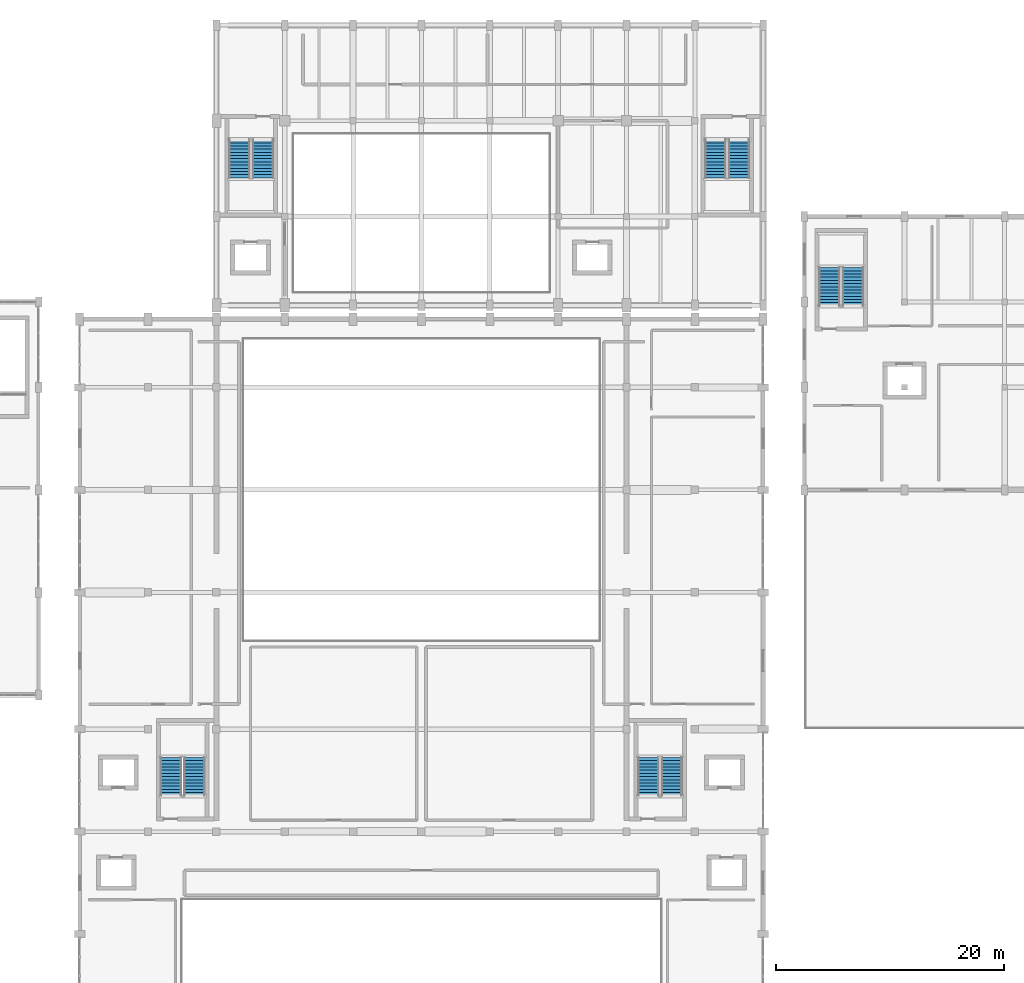
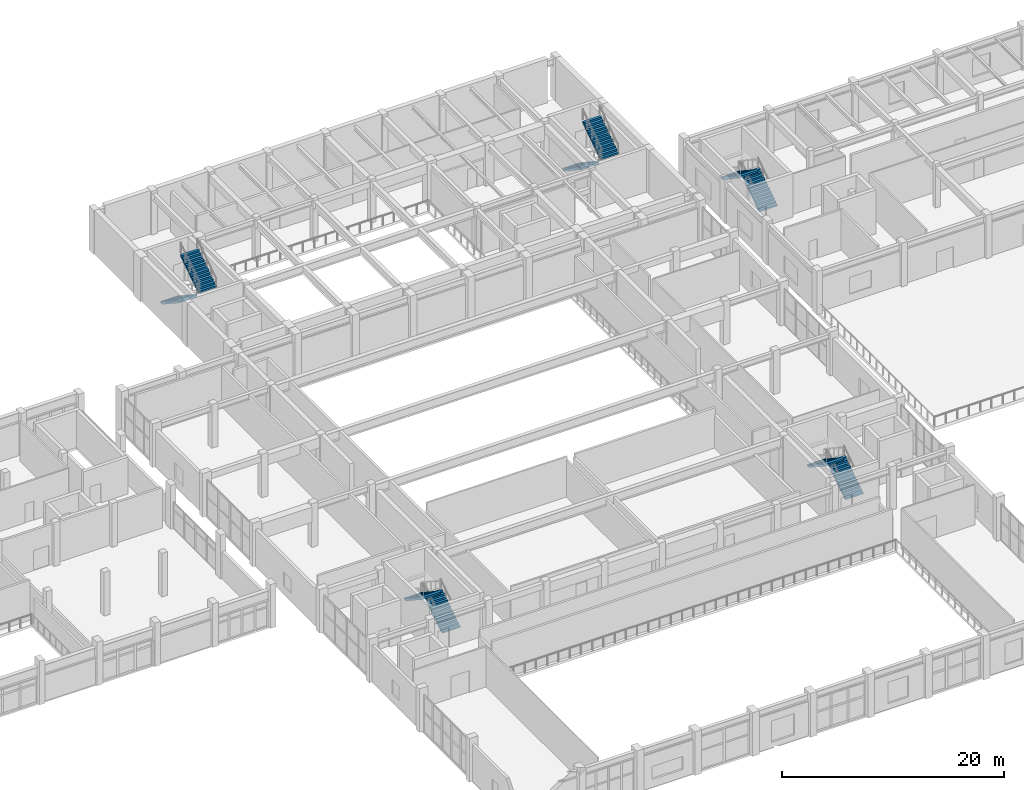
# One storey, part 47 of 62: 10 stair flights, 5 elements without a shape of their own.
"""IFC4 building model written with IfcOpenShell, lengths in metres."""

from ifc_helpers import new_model, si_unit, direction, frame, origin, place, context, subcontext, project, spatial, polyline, outline, extrude, material, type_object, element, aggregate, save


model = new_model("IFC4")

# Units and contexts
model_context = context("Model", 3, precision=1e-05, world=origin(), true_north=direction((0.0, 1.0)))
body_context = subcontext(model_context, "Body", "Model", "MODEL_VIEW")
ifc_project = project(units=[si_unit("LENGTHUNIT", "METRE"), si_unit("AREAUNIT", "SQUARE_METRE"), si_unit("VOLUMEUNIT", "CUBIC_METRE"), si_unit("PLANEANGLEUNIT", "RADIAN"), si_unit("MASSUNIT", "GRAM", prefix="KILO")], contexts=[model_context])

# Site, building, storey
site_placement = place(None, origin())
site = spatial("IfcSite", under=ifc_project, at=site_placement, CompositionType="ELEMENT")
building_placement = place(site_placement, origin())
building = spatial("IfcBuilding", under=site, at=building_placement, Name="Vaelkrest Opera House", CompositionType="ELEMENT")
storey_placement = place(building_placement, frame((0.0, 0.0, 19.800048828125)))
storey = spatial("IfcBuildingStorey", under=building, at=storey_placement, Name="L04", CompositionType="ELEMENT", Elevation=19.800048828125)

# Stair, stair flights
ifc_material = material(Name="Concrete C40/50", Category="concrete")
stair_type_1 = type_object("IfcStairType", Name="ST01", PredefinedType="TWO_STRAIGHT_RUN_STAIR", material=ifc_material)
stair_1_placement = place(storey_placement, origin())
stair_1 = element("IfcStair", 1, at=stair_1_placement, inside=storey, type_object=stair_type_1, Name="L04 Protected exit stair ST01", PredefinedType="TWO_STRAIGHT_RUN_STAIR")
stair_flight_type = type_object("IfcStairFlightType", Name="SFL176", PredefinedType="STRAIGHT", material=ifc_material)
stair_flight_1_placement = place(storey_placement, frame((-19.925048828125, -25.64990234375, 0.0), z_axis=(0.0, 0.0, 1.0), x_axis=(0.0, 1.0, 0.0)))
stair_flight_1 = element("IfcStairFlight", 2, at=stair_flight_1_placement, type_object=stair_flight_type, Name="ST01 flight 1", NumberOfRisers=13, NumberOfTreads=12, PredefinedType="STRAIGHT", RiserHeight=0.184615385, TreadLength=0.28, context=body_context, shape_type="SweptSolid", body=[
    extrude(outline(polyline([(0.0, 0.0), (0.0, 0.1845703125), (0.280029296875, 0.1845703125), (0.280029296875, 0.369140625), (0.56005859375, 0.369140625), (0.56005859375, 0.553955078125), (0.840087890625, 0.553955078125), (0.840087890625, 0.738525390625), (1.1201171875, 0.738525390625), (1.1201171875, 0.923095703125), (1.39990234375, 0.923095703125), (1.39990234375, 1.107666015625), (1.679931640625, 1.107666015625), (1.679931640625, 1.292236328125), (1.9599609375, 1.292236328125), (1.9599609375, 1.476806640625), (2.239990234375, 1.476806640625), (2.239990234375, 1.66162109375), (2.52001953125, 1.66162109375), (2.52001953125, 1.84619140625), (2.800048828125, 1.84619140625), (2.800048828125, 2.03076171875), (3.080078125, 2.03076171875), (3.080078125, 2.21533203125), (3.360107421875, 2.21533203125), (3.360107421875, 2.39990234375), (3.360107421875, 2.02392578125), (0.29052734375, 0.0), (0.0, 0.0)])), frame((0.0, 0.925048828125, 0.0), z_axis=(0.0, -1.0, 0.0), x_axis=(1.0, 0.0, 0.0)), (0.0, 0.0, 1.0), 1.85009765625),
])
stair_flight_2_placement = place(storey_placement, frame((-21.97509765625, -22.2900390625, 2.39990234375), z_axis=(0.0, 0.0, 1.0), x_axis=(0.0, -1.0, 0.0)))
stair_flight_2 = element("IfcStairFlight", 3, at=stair_flight_2_placement, type_object=stair_flight_type, Name="ST01 flight 2", NumberOfRisers=13, NumberOfTreads=12, PredefinedType="STRAIGHT", RiserHeight=0.184615385, TreadLength=0.28, context=body_context, shape_type="SweptSolid", body=[
    extrude(outline(polyline([(0.0, 0.0), (0.0, 0.1845703125), (0.280029296875, 0.1845703125), (0.280029296875, 0.369140625), (0.56005859375, 0.369140625), (0.56005859375, 0.553955078125), (0.840087890625, 0.553955078125), (0.840087890625, 0.738525390625), (1.1201171875, 0.738525390625), (1.1201171875, 0.923095703125), (1.39990234375, 0.923095703125), (1.39990234375, 1.107666015625), (1.679931640625, 1.107666015625), (1.679931640625, 1.292236328125), (1.9599609375, 1.292236328125), (1.9599609375, 1.476806640625), (2.239990234375, 1.476806640625), (2.239990234375, 1.66162109375), (2.52001953125, 1.66162109375), (2.52001953125, 1.84619140625), (2.800048828125, 1.84619140625), (2.800048828125, 2.03076171875), (3.080078125, 2.03076171875), (3.080078125, 2.21533203125), (3.360107421875, 2.21533203125), (3.360107421875, 2.39990234375), (3.360107421875, 2.02392578125), (0.29052734375, 0.0), (0.0, 0.0)])), frame((0.0, 0.925048828125, 0.0), z_axis=(0.0, -1.0, 0.0), x_axis=(1.0, 0.0, 0.0)), (0.0, 0.0, 1.0), 1.85009765625),
])
aggregate(stair_1, [stair_flight_1, stair_flight_2])

stair_type_2 = type_object("IfcStairType", Name="ST02", PredefinedType="TWO_STRAIGHT_RUN_STAIR", material=ifc_material)
stair_2_placement = place(storey_placement, origin())
stair_2 = element("IfcStair", 4, at=stair_2_placement, inside=storey, type_object=stair_type_2, Name="L04 Protected exit stair ST02", PredefinedType="TWO_STRAIGHT_RUN_STAIR")
stair_flight_3_placement = place(storey_placement, frame((21.97509765625, -25.64990234375, 0.0), z_axis=(0.0, 0.0, 1.0), x_axis=(0.0, 1.0, 0.0)))
stair_flight_3 = element("IfcStairFlight", 5, at=stair_flight_3_placement, type_object=stair_flight_type, Name="ST02 flight 1", NumberOfRisers=13, NumberOfTreads=12, PredefinedType="STRAIGHT", RiserHeight=0.184615385, TreadLength=0.28, context=body_context, shape_type="SweptSolid", body=[
    extrude(outline(polyline([(0.0, 0.0), (0.0, 0.1845703125), (0.280029296875, 0.1845703125), (0.280029296875, 0.369140625), (0.56005859375, 0.369140625), (0.56005859375, 0.553955078125), (0.840087890625, 0.553955078125), (0.840087890625, 0.738525390625), (1.1201171875, 0.738525390625), (1.1201171875, 0.923095703125), (1.39990234375, 0.923095703125), (1.39990234375, 1.107666015625), (1.679931640625, 1.107666015625), (1.679931640625, 1.292236328125), (1.9599609375, 1.292236328125), (1.9599609375, 1.476806640625), (2.239990234375, 1.476806640625), (2.239990234375, 1.66162109375), (2.52001953125, 1.66162109375), (2.52001953125, 1.84619140625), (2.800048828125, 1.84619140625), (2.800048828125, 2.03076171875), (3.080078125, 2.03076171875), (3.080078125, 2.21533203125), (3.360107421875, 2.21533203125), (3.360107421875, 2.39990234375), (3.360107421875, 2.02392578125), (0.29052734375, 0.0), (0.0, 0.0)])), frame((0.0, 0.925048828125, 0.0), z_axis=(0.0, -1.0, 0.0), x_axis=(1.0, 0.0, 0.0)), (0.0, 0.0, 1.0), 1.85009765625),
])
stair_flight_4_placement = place(storey_placement, frame((19.925048828125, -22.2900390625, 2.39990234375), z_axis=(0.0, 0.0, 1.0), x_axis=(0.0, -1.0, 0.0)))
stair_flight_4 = element("IfcStairFlight", 6, at=stair_flight_4_placement, type_object=stair_flight_type, Name="ST02 flight 2", NumberOfRisers=13, NumberOfTreads=12, PredefinedType="STRAIGHT", RiserHeight=0.184615385, TreadLength=0.28, context=body_context, shape_type="SweptSolid", body=[
    extrude(outline(polyline([(0.0, 0.0), (0.0, 0.1845703125), (0.280029296875, 0.1845703125), (0.280029296875, 0.369140625), (0.56005859375, 0.369140625), (0.56005859375, 0.553955078125), (0.840087890625, 0.553955078125), (0.840087890625, 0.738525390625), (1.1201171875, 0.738525390625), (1.1201171875, 0.923095703125), (1.39990234375, 0.923095703125), (1.39990234375, 1.107666015625), (1.679931640625, 1.107666015625), (1.679931640625, 1.292236328125), (1.9599609375, 1.292236328125), (1.9599609375, 1.476806640625), (2.239990234375, 1.476806640625), (2.239990234375, 1.66162109375), (2.52001953125, 1.66162109375), (2.52001953125, 1.84619140625), (2.800048828125, 1.84619140625), (2.800048828125, 2.03076171875), (3.080078125, 2.03076171875), (3.080078125, 2.21533203125), (3.360107421875, 2.21533203125), (3.360107421875, 2.39990234375), (3.360107421875, 2.02392578125), (0.29052734375, 0.0), (0.0, 0.0)])), frame((0.0, 0.925048828125, 0.0), z_axis=(0.0, -1.0, 0.0), x_axis=(1.0, 0.0, 0.0)), (0.0, 0.0, 1.0), 1.85009765625),
])
aggregate(stair_2, [stair_flight_3, stair_flight_4])

stair_type_3 = type_object("IfcStairType", Name="ST05", PredefinedType="TWO_STRAIGHT_RUN_STAIR", material=ifc_material)
stair_3_placement = place(storey_placement, origin())
stair_3 = element("IfcStair", 7, at=stair_3_placement, inside=storey, type_object=stair_type_3, Name="L04 Protected exit stair ST05", PredefinedType="TWO_STRAIGHT_RUN_STAIR")
stair_flight_5_placement = place(storey_placement, frame((-15.97509765625, 31.949951171875, 0.0), z_axis=(0.0, 0.0, 1.0), x_axis=(0.0, -1.0, 0.0)))
stair_flight_5 = element("IfcStairFlight", 8, at=stair_flight_5_placement, type_object=stair_flight_type, Name="ST05 flight 1", NumberOfRisers=13, NumberOfTreads=12, PredefinedType="STRAIGHT", RiserHeight=0.184615385, TreadLength=0.28, context=body_context, shape_type="SweptSolid", body=[
    extrude(outline(polyline([(0.0, 0.0), (0.0, 0.1845703125), (0.280029296875, 0.1845703125), (0.280029296875, 0.369140625), (0.56005859375, 0.369140625), (0.56005859375, 0.553955078125), (0.840087890625, 0.553955078125), (0.840087890625, 0.738525390625), (1.1201171875, 0.738525390625), (1.1201171875, 0.923095703125), (1.39990234375, 0.923095703125), (1.39990234375, 1.107666015625), (1.679931640625, 1.107666015625), (1.679931640625, 1.292236328125), (1.9599609375, 1.292236328125), (1.9599609375, 1.476806640625), (2.239990234375, 1.476806640625), (2.239990234375, 1.66162109375), (2.52001953125, 1.66162109375), (2.52001953125, 1.84619140625), (2.800048828125, 1.84619140625), (2.800048828125, 2.03076171875), (3.080078125, 2.03076171875), (3.080078125, 2.21533203125), (3.360107421875, 2.21533203125), (3.360107421875, 2.39990234375), (3.360107421875, 2.02392578125), (0.29052734375, 0.0), (0.0, 0.0)])), frame((0.0, 0.925048828125, 0.0), z_axis=(0.0, -1.0, 0.0), x_axis=(1.0, 0.0, 0.0)), (0.0, 0.0, 1.0), 1.85009765625),
])
stair_flight_6_placement = place(storey_placement, frame((-13.925048828125, 28.590087890625, 2.39990234375), z_axis=(0.0, 0.0, 1.0), x_axis=(0.0, 1.0, 0.0)))
stair_flight_6 = element("IfcStairFlight", 9, at=stair_flight_6_placement, type_object=stair_flight_type, Name="ST05 flight 2", NumberOfRisers=13, NumberOfTreads=12, PredefinedType="STRAIGHT", RiserHeight=0.184615385, TreadLength=0.28, context=body_context, shape_type="SweptSolid", body=[
    extrude(outline(polyline([(0.0, 0.0), (0.0, 0.1845703125), (0.280029296875, 0.1845703125), (0.280029296875, 0.369140625), (0.56005859375, 0.369140625), (0.56005859375, 0.553955078125), (0.840087890625, 0.553955078125), (0.840087890625, 0.738525390625), (1.1201171875, 0.738525390625), (1.1201171875, 0.923095703125), (1.39990234375, 0.923095703125), (1.39990234375, 1.107666015625), (1.679931640625, 1.107666015625), (1.679931640625, 1.292236328125), (1.9599609375, 1.292236328125), (1.9599609375, 1.476806640625), (2.239990234375, 1.476806640625), (2.239990234375, 1.66162109375), (2.52001953125, 1.66162109375), (2.52001953125, 1.84619140625), (2.800048828125, 1.84619140625), (2.800048828125, 2.03076171875), (3.080078125, 2.03076171875), (3.080078125, 2.21533203125), (3.360107421875, 2.21533203125), (3.360107421875, 2.39990234375), (3.360107421875, 2.02392578125), (0.29052734375, 0.0), (0.0, 0.0)])), frame((0.0, 0.925048828125, 0.0), z_axis=(0.0, -1.0, 0.0), x_axis=(1.0, 0.0, 0.0)), (0.0, 0.0, 1.0), 1.85009765625),
])
aggregate(stair_3, [stair_flight_5, stair_flight_6])

stair_type_4 = type_object("IfcStairType", Name="ST06", PredefinedType="TWO_STRAIGHT_RUN_STAIR", material=ifc_material)
stair_4_placement = place(storey_placement, origin())
stair_4 = element("IfcStair", 10, at=stair_4_placement, inside=storey, type_object=stair_type_4, Name="L04 Protected exit stair ST06", PredefinedType="TWO_STRAIGHT_RUN_STAIR")
stair_flight_7_placement = place(storey_placement, frame((25.824951171875, 31.949951171875, 0.0), z_axis=(0.0, 0.0, 1.0), x_axis=(0.0, -1.0, 0.0)))
stair_flight_7 = element("IfcStairFlight", 11, at=stair_flight_7_placement, type_object=stair_flight_type, Name="ST06 flight 1", NumberOfRisers=13, NumberOfTreads=12, PredefinedType="STRAIGHT", RiserHeight=0.184615385, TreadLength=0.28, context=body_context, shape_type="SweptSolid", body=[
    extrude(outline(polyline([(0.0, 0.0), (0.0, 0.1845703125), (0.280029296875, 0.1845703125), (0.280029296875, 0.369140625), (0.56005859375, 0.369140625), (0.56005859375, 0.553955078125), (0.840087890625, 0.553955078125), (0.840087890625, 0.738525390625), (1.1201171875, 0.738525390625), (1.1201171875, 0.923095703125), (1.39990234375, 0.923095703125), (1.39990234375, 1.107666015625), (1.679931640625, 1.107666015625), (1.679931640625, 1.292236328125), (1.9599609375, 1.292236328125), (1.9599609375, 1.476806640625), (2.239990234375, 1.476806640625), (2.239990234375, 1.66162109375), (2.52001953125, 1.66162109375), (2.52001953125, 1.84619140625), (2.800048828125, 1.84619140625), (2.800048828125, 2.03076171875), (3.080078125, 2.03076171875), (3.080078125, 2.21533203125), (3.360107421875, 2.21533203125), (3.360107421875, 2.39990234375), (3.360107421875, 2.02392578125), (0.29052734375, 0.0), (0.0, 0.0)])), frame((0.0, 0.925048828125, 0.0), z_axis=(0.0, -1.0, 0.0), x_axis=(1.0, 0.0, 0.0)), (0.0, 0.0, 1.0), 1.85009765625),
])
stair_flight_8_placement = place(storey_placement, frame((27.875, 28.590087890625, 2.39990234375), z_axis=(0.0, 0.0, 1.0), x_axis=(0.0, 1.0, 0.0)))
stair_flight_8 = element("IfcStairFlight", 12, at=stair_flight_8_placement, type_object=stair_flight_type, Name="ST06 flight 2", NumberOfRisers=13, NumberOfTreads=12, PredefinedType="STRAIGHT", RiserHeight=0.184615385, TreadLength=0.28, context=body_context, shape_type="SweptSolid", body=[
    extrude(outline(polyline([(0.0, 0.0), (0.0, 0.1845703125), (0.280029296875, 0.1845703125), (0.280029296875, 0.369140625), (0.56005859375, 0.369140625), (0.56005859375, 0.553955078125), (0.840087890625, 0.553955078125), (0.840087890625, 0.738525390625), (1.1201171875, 0.738525390625), (1.1201171875, 0.923095703125), (1.39990234375, 0.923095703125), (1.39990234375, 1.107666015625), (1.679931640625, 1.107666015625), (1.679931640625, 1.292236328125), (1.9599609375, 1.292236328125), (1.9599609375, 1.476806640625), (2.239990234375, 1.476806640625), (2.239990234375, 1.66162109375), (2.52001953125, 1.66162109375), (2.52001953125, 1.84619140625), (2.800048828125, 1.84619140625), (2.800048828125, 2.03076171875), (3.080078125, 2.03076171875), (3.080078125, 2.21533203125), (3.360107421875, 2.21533203125), (3.360107421875, 2.39990234375), (3.360107421875, 2.02392578125), (0.29052734375, 0.0), (0.0, 0.0)])), frame((0.0, 0.925048828125, 0.0), z_axis=(0.0, -1.0, 0.0), x_axis=(1.0, 0.0, 0.0)), (0.0, 0.0, 1.0), 1.85009765625),
])
aggregate(stair_4, [stair_flight_7, stair_flight_8])

stair_type_5 = type_object("IfcStairType", Name="ST09", PredefinedType="TWO_STRAIGHT_RUN_STAIR", material=ifc_material)
stair_5_placement = place(storey_placement, origin())
stair_5 = element("IfcStair", 13, at=stair_5_placement, inside=storey, type_object=stair_type_5, Name="L04 Protected exit stair ST09", PredefinedType="TWO_STRAIGHT_RUN_STAIR")
stair_flight_9_placement = place(storey_placement, frame((37.875, 17.35009765625, 0.0), z_axis=(0.0, 0.0, 1.0), x_axis=(0.0, 1.0, 0.0)))
stair_flight_9 = element("IfcStairFlight", 14, at=stair_flight_9_placement, type_object=stair_flight_type, Name="ST09 flight 1", NumberOfRisers=13, NumberOfTreads=12, PredefinedType="STRAIGHT", RiserHeight=0.184615385, TreadLength=0.28, context=body_context, shape_type="SweptSolid", body=[
    extrude(outline(polyline([(0.0, 0.0), (0.0, 0.1845703125), (0.280029296875, 0.1845703125), (0.280029296875, 0.369140625), (0.56005859375, 0.369140625), (0.56005859375, 0.553955078125), (0.840087890625, 0.553955078125), (0.840087890625, 0.738525390625), (1.1201171875, 0.738525390625), (1.1201171875, 0.923095703125), (1.39990234375, 0.923095703125), (1.39990234375, 1.107666015625), (1.679931640625, 1.107666015625), (1.679931640625, 1.292236328125), (1.9599609375, 1.292236328125), (1.9599609375, 1.476806640625), (2.239990234375, 1.476806640625), (2.239990234375, 1.66162109375), (2.52001953125, 1.66162109375), (2.52001953125, 1.84619140625), (2.800048828125, 1.84619140625), (2.800048828125, 2.03076171875), (3.080078125, 2.03076171875), (3.080078125, 2.21533203125), (3.360107421875, 2.21533203125), (3.360107421875, 2.39990234375), (3.360107421875, 2.02392578125), (0.29052734375, 0.0), (0.0, 0.0)])), frame((0.0, 0.925048828125, 0.0), z_axis=(0.0, -1.0, 0.0), x_axis=(1.0, 0.0, 0.0)), (0.0, 0.0, 1.0), 1.85009765625),
])
stair_flight_10_placement = place(storey_placement, frame((35.824951171875, 20.7099609375, 2.39990234375), z_axis=(0.0, 0.0, 1.0), x_axis=(0.0, -1.0, 0.0)))
stair_flight_10 = element("IfcStairFlight", 15, at=stair_flight_10_placement, type_object=stair_flight_type, Name="ST09 flight 2", NumberOfRisers=13, NumberOfTreads=12, PredefinedType="STRAIGHT", RiserHeight=0.184615385, TreadLength=0.28, context=body_context, shape_type="SweptSolid", body=[
    extrude(outline(polyline([(0.0, 0.0), (0.0, 0.1845703125), (0.280029296875, 0.1845703125), (0.280029296875, 0.369140625), (0.56005859375, 0.369140625), (0.56005859375, 0.553955078125), (0.840087890625, 0.553955078125), (0.840087890625, 0.738525390625), (1.1201171875, 0.738525390625), (1.1201171875, 0.923095703125), (1.39990234375, 0.923095703125), (1.39990234375, 1.107666015625), (1.679931640625, 1.107666015625), (1.679931640625, 1.292236328125), (1.9599609375, 1.292236328125), (1.9599609375, 1.476806640625), (2.239990234375, 1.476806640625), (2.239990234375, 1.66162109375), (2.52001953125, 1.66162109375), (2.52001953125, 1.84619140625), (2.800048828125, 1.84619140625), (2.800048828125, 2.03076171875), (3.080078125, 2.03076171875), (3.080078125, 2.21533203125), (3.360107421875, 2.21533203125), (3.360107421875, 2.39990234375), (3.360107421875, 2.02392578125), (0.29052734375, 0.0), (0.0, 0.0)])), frame((0.0, 0.925048828125, 0.0), z_axis=(0.0, -1.0, 0.0), x_axis=(1.0, 0.0, 0.0)), (0.0, 0.0, 1.0), 1.85009765625),
])
aggregate(stair_5, [stair_flight_9, stair_flight_10])

save(model, "model.ifc")
